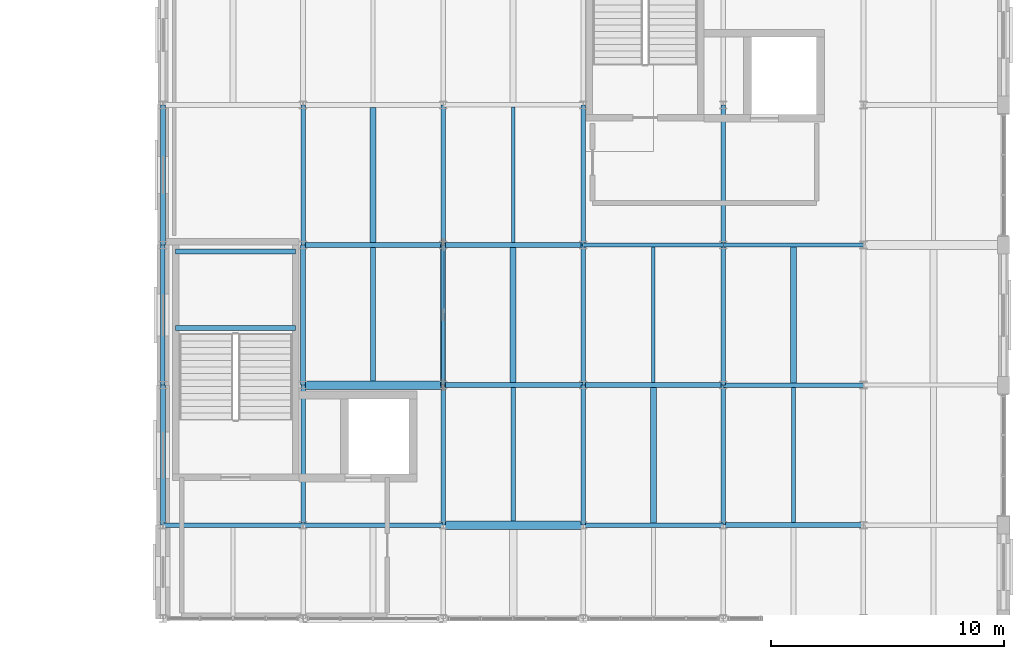
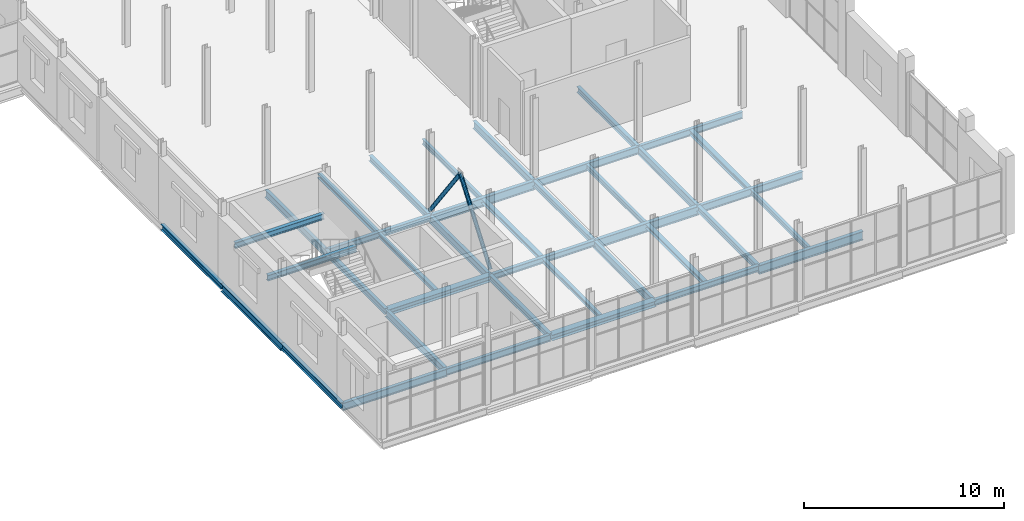
# One storey, part 67 of 114: 39 beams, 2 members.
"""IFC4 building model written with IfcOpenShell, lengths in metres."""

from ifc_helpers import new_model, si_unit, direction, frame, origin, origin_2d, place, context, subcontext, project, spatial, hollow_circle, i_section, extrude, material, material_profile, profile_set, type_object, element, save


model = new_model("IFC4")

# Units and contexts
model_context = context("Model", 3, precision=1e-05, world=origin(), true_north=direction((0.0, 1.0)))
body_context = subcontext(model_context, "Body", "Model", "MODEL_VIEW")
ifc_project = project(units=[si_unit("LENGTHUNIT", "METRE"), si_unit("AREAUNIT", "SQUARE_METRE"), si_unit("VOLUMEUNIT", "CUBIC_METRE"), si_unit("PLANEANGLEUNIT", "RADIAN"), si_unit("MASSUNIT", "GRAM", prefix="KILO")], contexts=[model_context])

# Site, building, storey
site_placement = place(None, origin())
site = spatial("IfcSite", under=ifc_project, at=site_placement, CompositionType="ELEMENT")
building_placement = place(site_placement, origin())
building = spatial("IfcBuilding", under=site, at=building_placement, Name="Verrall Gate Interchange", CompositionType="ELEMENT")
storey_placement = place(building_placement, frame((0.0, 0.0, 6.60009765625)))
storey = spatial("IfcBuildingStorey", under=building, at=storey_placement, Name="L02", CompositionType="ELEMENT", Elevation=6.60009765625)

# Beams
ifc_material_1 = material(Name="Structural Steel CSA G40.21 350W", Category="steel")
ifc_material_profile_1 = material_profile(ifc_material_1, i_section(OverallWidth=0.2109375, OverallDepth=0.5390625, WebThickness=0.01171875, FlangeThickness=0.018798828125, FilletRadius=0.013916015625, at=origin_2d()), Name="W530x109")
ifc_profile_set_1 = profile_set([ifc_material_profile_1], Name="Structural Steel CSA G40.21 350W")
beam_type_1 = type_object("IfcBeamType", Name="B-10 Structural Beam W530x109", PredefinedType="BEAM", material=ifc_profile_set_1)
for number, where, z_axis, x_axis, name in (
    (1, (156.0, 16.0, -0.549560546875), (1.0, 0.0, 0.0), (0.0, 1.0, 0.0), "L02 Girder BM-L02-1502 (B-10)"),
    (2, (150.0, 22.0, -0.549560546875), (1.0, 0.0, 0.0), (0.0, 1.0, 0.0), "L02 Girder BM-L02-1512 (B-10)"),
    (3, (144.0, 28.0, -0.549560546875), (1.0, 0.0, 0.0), (0.0, 1.0, 0.0), "L02 Girder BM-L02-1522 (B-10)"),
):
    element("IfcBeam", number, at=place(storey_placement, frame(where, z_axis=z_axis, x_axis=x_axis)), inside=storey, type_object=beam_type_1, Name=name, PredefinedType="BEAM", context=body_context, shape_type="SweptSolid", body=[
        extrude(i_section(OverallWidth=0.2109375, OverallDepth=0.5390625, WebThickness=0.01171875, FlangeThickness=0.018798828125, FilletRadius=0.013916015625, at=origin_2d()), origin(), (0.0, 0.0, 1.0), 6.0),
    ])
ifc_material_2 = material(Name="Structural Steel CSA G40.21 350W", Category="steel")
ifc_material_profile_2 = material_profile(ifc_material_2, i_section(OverallWidth=0.19189453125, OverallDepth=0.462890625, WebThickness=0.010498046875, FlangeThickness=0.017578125, FilletRadius=0.012939453125, at=origin_2d()), Name="W460x89")
ifc_profile_set_2 = profile_set([ifc_material_profile_2], Name="Structural Steel CSA G40.21 350W")
beam_type_2 = type_object("IfcBeamType", Name="B-11 Structural Beam W460x89", PredefinedType="BEAM", material=ifc_profile_set_2)
for number, where, z_axis, x_axis, name in (
    (4, (132.0, 16.0, -0.51171875), (1.0, 0.0, 0.0), (0.0, 1.0, 0.0), "L02 Girder BM-L02-1498 (B-11)"),
    (5, (156.0, 22.0, -0.51171875), (1.0, 0.0, 0.0), (0.0, 1.0, 0.0), "L02 Girder BM-L02-1513 (B-11)"),
    (6, (150.0, 28.0, -0.51171875), (1.0, 0.0, 0.0), (0.0, 1.0, 0.0), "L02 Girder BM-L02-1523 (B-11)"),
    (7, (132.0, 22.0, -0.51171875), (0.0, 1.0, 0.0), (-1.0, 0.0, 0.0), "L02 Girder BM-L02-1785 (B-11)"),
    (8, (138.0, 16.0, -0.51171875), (0.0, 1.0, 0.0), (-1.0, 0.0, 0.0), "L02 Girder BM-L02-1792 (B-11)"),
    (9, (138.0, 28.0, -0.51171875), (0.0, 1.0, 0.0), (-1.0, 0.0, 0.0), "L02 Girder BM-L02-1794 (B-11)"),
    (10, (144.0, 22.0, -0.51171875), (0.0, 1.0, 0.0), (-1.0, 0.0, 0.0), "L02 Girder BM-L02-1801 (B-11)"),
    (11, (150.0, 16.0, -0.51171875), (0.0, 1.0, 0.0), (-1.0, 0.0, 0.0), "L02 Girder BM-L02-1808 (B-11)"),
    (12, (150.0, 28.0, -0.51171875), (0.0, 1.0, 0.0), (-1.0, 0.0, 0.0), "L02 Girder BM-L02-1810 (B-11)"),
    (13, (156.0, 22.0, -0.51171875), (0.0, 1.0, 0.0), (-1.0, 0.0, 0.0), "L02 Girder BM-L02-1817 (B-11)"),
):
    element("IfcBeam", number, at=place(storey_placement, frame(where, z_axis=z_axis, x_axis=x_axis)), inside=storey, type_object=beam_type_2, Name=name, PredefinedType="BEAM", context=body_context, shape_type="SweptSolid", body=[
        extrude(i_section(OverallWidth=0.19189453125, OverallDepth=0.462890625, WebThickness=0.010498046875, FlangeThickness=0.017578125, FilletRadius=0.012939453125, at=origin_2d()), origin(), (0.0, 0.0, 1.0), 6.0),
    ])
ifc_material_3 = material(Name="Structural Steel CSA G40.21 350W", Category="steel")
ifc_material_profile_3 = material_profile(ifc_material_3, i_section(OverallWidth=0.178955078125, OverallDepth=0.409912109375, WebThickness=0.0087890625, FlangeThickness=0.014404296875, FilletRadius=0.011962890625, at=origin_2d()), Name="W410x67")
ifc_profile_set_3 = profile_set([ifc_material_profile_3], Name="Structural Steel CSA G40.21 350W")
beam_type_3 = type_object("IfcBeamType", Name="B-12 Structural Beam W410x67", PredefinedType="BEAM", material=ifc_profile_set_3)
for number, where, z_axis, x_axis, name in (
    (14, (138.0, 16.0, -0.485107421875), (1.0, 0.0, 0.0), (0.0, 1.0, 0.0), "L02 Girder BM-L02-1499 (B-12)"),
    (15, (156.0, 28.0, -0.485107421875), (1.0, 0.0, 0.0), (0.0, 1.0, 0.0), "L02 Girder BM-L02-1524 (B-12)"),
):
    element("IfcBeam", number, at=place(storey_placement, frame(where, z_axis=z_axis, x_axis=x_axis)), inside=storey, type_object=beam_type_3, Name=name, PredefinedType="BEAM", context=body_context, shape_type="SweptSolid", body=[
        extrude(i_section(OverallWidth=0.178955078125, OverallDepth=0.409912109375, WebThickness=0.0087890625, FlangeThickness=0.014404296875, FilletRadius=0.011962890625, at=origin_2d()), origin(), (0.0, 0.0, 1.0), 6.0),
    ])
ifc_material_4 = material(Name="Structural Steel CSA G40.21 350W", Category="steel")
ifc_material_profile_4 = material_profile(ifc_material_4, i_section(OverallWidth=0.368896484375, OverallDepth=0.35595703125, WebThickness=0.01123046875, FlangeThickness=0.01806640625, FilletRadius=0.014892578125, at=origin_2d()), Name="W360x134")
ifc_profile_set_4 = profile_set([ifc_material_profile_4], Name="Structural Steel CSA G40.21 350W")
beam_type_4 = type_object("IfcBeamType", Name="B-13 Structural Beam W360x134", PredefinedType="BEAM", material=ifc_profile_set_4)
for number, where, z_axis, x_axis, name in (
    (16, (144.0, 16.0, -0.4580078125), (1.0, 0.0, 0.0), (0.0, 1.0, 0.0), "L02 Girder BM-L02-1500 (B-13)"),
    (17, (138.0, 22.0, -0.4580078125), (1.0, 0.0, 0.0), (0.0, 1.0, 0.0), "L02 Girder BM-L02-1510 (B-13)"),
):
    element("IfcBeam", number, at=place(storey_placement, frame(where, z_axis=z_axis, x_axis=x_axis)), inside=storey, type_object=beam_type_4, Name=name, PredefinedType="BEAM", context=body_context, shape_type="SweptSolid", body=[
        extrude(i_section(OverallWidth=0.368896484375, OverallDepth=0.35595703125, WebThickness=0.01123046875, FlangeThickness=0.01806640625, FilletRadius=0.014892578125, at=origin_2d()), origin(), (0.0, 0.0, 1.0), 6.0),
    ])
ifc_material_5 = material(Name="Structural Steel CSA G40.21 350W", Category="steel")
ifc_material_profile_5 = material_profile(ifc_material_5, i_section(OverallWidth=0.205078125, OverallDepth=0.35400390625, WebThickness=0.009521484375, FlangeThickness=0.016845703125, FilletRadius=0.012939453125, at=origin_2d()), Name="W360x79")
ifc_profile_set_5 = profile_set([ifc_material_profile_5], Name="Structural Steel CSA G40.21 350W")
beam_type_5 = type_object("IfcBeamType", Name="B-14 Structural Beam W360x79", PredefinedType="BEAM", material=ifc_profile_set_5)
for number, where, z_axis, x_axis, name in (
    (18, (150.0, 16.0, -0.45703125), (1.0, 0.0, 0.0), (0.0, 1.0, 0.0), "L02 Girder BM-L02-1501 (B-14)"),
    (19, (144.0, 22.0, -0.45703125), (1.0, 0.0, 0.0), (0.0, 1.0, 0.0), "L02 Girder BM-L02-1511 (B-14)"),
    (20, (138.0, 28.0, -0.45703125), (1.0, 0.0, 0.0), (0.0, 1.0, 0.0), "L02 Girder BM-L02-1521 (B-14)"),
    (21, (132.0, 16.0, -0.45703125), (0.0, 1.0, 0.0), (-1.0, 0.0, 0.0), "L02 Girder BM-L02-1784 (B-14)"),
    (22, (132.0, 28.0, -0.45703125), (0.0, 1.0, 0.0), (-1.0, 0.0, 0.0), "L02 Girder BM-L02-1786 (B-14)"),
    (23, (138.0, 22.0, -0.45703125), (0.0, 1.0, 0.0), (-1.0, 0.0, 0.0), "L02 Girder BM-L02-1793 (B-14)"),
    (24, (144.0, 16.0, -0.45703125), (0.0, 1.0, 0.0), (-1.0, 0.0, 0.0), "L02 Girder BM-L02-1800 (B-14)"),
    (25, (144.0, 28.0, -0.45703125), (0.0, 1.0, 0.0), (-1.0, 0.0, 0.0), "L02 Girder BM-L02-1802 (B-14)"),
    (26, (150.0, 22.0, -0.45703125), (0.0, 1.0, 0.0), (-1.0, 0.0, 0.0), "L02 Girder BM-L02-1809 (B-14)"),
    (27, (156.0, 16.0, -0.45703125), (0.0, 1.0, 0.0), (-1.0, 0.0, 0.0), "L02 Girder BM-L02-1816 (B-14)"),
    (28, (156.0, 28.0, -0.45703125), (0.0, 1.0, 0.0), (-1.0, 0.0, 0.0), "L02 Girder BM-L02-1818 (B-14)"),
):
    element("IfcBeam", number, at=place(storey_placement, frame(where, z_axis=z_axis, x_axis=x_axis)), inside=storey, type_object=beam_type_5, Name=name, PredefinedType="BEAM", context=body_context, shape_type="SweptSolid", body=[
        extrude(i_section(OverallWidth=0.205078125, OverallDepth=0.35400390625, WebThickness=0.009521484375, FlangeThickness=0.016845703125, FilletRadius=0.012939453125, at=origin_2d()), origin(), (0.0, 0.0, 1.0), 6.0),
    ])
for number, where, z_axis, x_axis, name in (
    (29, (132.5400390625, 24.449951171875, 2.02978515625), (1.0, 0.0, 0.0), (0.0, 1.0, 0.0), "L02 Core C8 Mid-Landing Beam 1"),
    (30, (132.5400390625, 27.719970703125, 2.02978515625), (1.0, 0.0, 0.0), (0.0, 1.0, 0.0), "L02 Core C8 Mid-Landing Beam 2"),
):
    element("IfcBeam", number, at=place(storey_placement, frame(where, z_axis=z_axis, x_axis=x_axis)), inside=storey, type_object=beam_type_5, Name=name, PredefinedType="BEAM", context=body_context, shape_type="SweptSolid", body=[
        extrude(i_section(OverallWidth=0.205078125, OverallDepth=0.35400390625, WebThickness=0.009521484375, FlangeThickness=0.016845703125, FilletRadius=0.012939453125, at=origin_2d()), origin(), (0.0, 0.0, 1.0), 5.139892578125),
    ])

# Members
ifc_material_6 = material(Name="Structural Steel CSA G40.21 350W", Category="steel")
ifc_material_profile_6 = material_profile(ifc_material_6, hollow_circle(Radius=0.109619140625, WallThickness=0.008056640625, at=origin_2d()), Name="HSS219x8.0")
ifc_profile_set_6 = profile_set([ifc_material_profile_6], Name="Structural Steel CSA G40.21 350W")
member_type = type_object("IfcMemberType", Name="BR-02 Diagonal Brace HSS219x8.0", PredefinedType="BRACE", material=ifc_profile_set_6)
for number, where, z_axis, x_axis, name in (
    (31, (144.0, 22.0, 0.0), (0.0, 0.598082546513, 0.801434506093), (-1.0, 0.0, 0.0), "Chevron Brace CBF6 L02 Leg A"),
    (32, (144.0, 28.0, 0.0), (0.0, -0.598082546513, 0.801434506093), (1.0, 0.0, 0.0), "Chevron Brace CBF6 L02 Leg B"),
):
    element("IfcMember", number, at=place(storey_placement, frame(where, z_axis=z_axis, x_axis=x_axis)), inside=storey, type_object=member_type, Name=name, PredefinedType="BRACE", context=body_context, shape_type="SweptSolid", body=[
        extrude(hollow_circle(Radius=0.109619140625, WallThickness=0.008056640625, at=origin_2d()), origin(), (0.0, 0.0, 1.0), 5.01611328125),
    ])

# Beams
ifc_material_7 = material(Name="Structural Steel CSA G40.21 350W", Category="steel")
ifc_material_profile_7 = material_profile(ifc_material_7, i_section(OverallWidth=0.25390625, OverallDepth=0.305908203125, WebThickness=0.0087890625, FlangeThickness=0.0146484375, FilletRadius=0.012939453125, at=origin_2d()), Name="W310x79")
ifc_profile_set_7 = profile_set([ifc_material_profile_7], Name="Structural Steel CSA G40.21 350W")
beam_type_6 = type_object("IfcBeamType", Name="J-03 Floor Joist W310x79", PredefinedType="JOIST", material=ifc_profile_set_7)
beam_placement = place(storey_placement, frame((159.0, 22.095947265625, -0.43310546875), z_axis=(0.0, 1.0, 0.0), x_axis=(-1.0, 0.0, 0.0)))
element("IfcBeam", 33, at=beam_placement, inside=storey, type_object=beam_type_6, Name="L02 Secondary Floor Joist JST-L02-1898", PredefinedType="JOIST", context=body_context, shape_type="SweptSolid", body=[
    extrude(i_section(OverallWidth=0.25390625, OverallDepth=0.305908203125, WebThickness=0.0087890625, FlangeThickness=0.0146484375, FilletRadius=0.012939453125, at=origin_2d()), origin(), (0.0, 0.0, 1.0), 5.814453125),
])
ifc_material_8 = material(Name="Structural Steel CSA G40.21 350W", Category="steel")
ifc_material_profile_8 = material_profile(ifc_material_8, i_section(OverallWidth=0.1650390625, OverallDepth=0.31005859375, WebThickness=0.005859375, FlangeThickness=0.009765625, FilletRadius=0.010009765625, at=origin_2d()), Name="W310x39")
ifc_profile_set_8 = profile_set([ifc_material_profile_8], Name="Structural Steel CSA G40.21 350W")
beam_type_7 = type_object("IfcBeamType", Name="J-04 Floor Joist W310x39", PredefinedType="JOIST", material=ifc_profile_set_8)
for number, where, z_axis, x_axis, name in (
    (34, (159.0, 16.10546875, -0.43505859375), (0.0, 1.0, 0.0), (-1.0, 0.0, 0.0), "L02 Secondary Floor Joist JST-L02-1889"),
    (35, (153.0, 22.10546875, -0.43505859375), (0.0, 1.0, 0.0), (-1.0, 0.0, 0.0), "L02 Secondary Floor Joist JST-L02-1897"),
    (36, (147.0, 28.10546875, -0.43505859375), (0.0, 1.0, 0.0), (-1.0, 0.0, 0.0), "L02 Secondary Floor Joist JST-L02-1905"),
):
    element("IfcBeam", number, at=place(storey_placement, frame(where, z_axis=z_axis, x_axis=x_axis)), inside=storey, type_object=beam_type_7, Name=name, PredefinedType="JOIST", context=body_context, shape_type="SweptSolid", body=[
        extrude(i_section(OverallWidth=0.1650390625, OverallDepth=0.31005859375, WebThickness=0.005859375, FlangeThickness=0.009765625, FilletRadius=0.010009765625, at=origin_2d()), origin(), (0.0, 0.0, 1.0), 5.798583984375),
    ])
ifc_material_9 = material(Name="Structural Steel CSA G40.21 350W", Category="steel")
ifc_material_profile_9 = material_profile(ifc_material_9, i_section(OverallWidth=0.25390625, OverallDepth=0.2529296875, WebThickness=0.008544921875, FlangeThickness=0.01416015625, FilletRadius=0.011962890625, at=origin_2d()), Name="W250x73")
ifc_profile_set_9 = profile_set([ifc_material_profile_9], Name="Structural Steel CSA G40.21 350W")
beam_type_8 = type_object("IfcBeamType", Name="J-05 Floor Joist W250x73", PredefinedType="JOIST", material=ifc_profile_set_9)
for number, where, z_axis, x_axis, name in (
    (37, (153.0, 16.1025390625, -0.406494140625), (0.0, 1.0, 0.0), (-1.0, 0.0, 0.0), "L02 Secondary Floor Joist JST-L02-1888"),
    (38, (147.0, 22.1025390625, -0.406494140625), (0.0, 1.0, 0.0), (-1.0, 0.0, 0.0), "L02 Secondary Floor Joist JST-L02-1896"),
    (39, (141.0, 28.1025390625, -0.406494140625), (0.0, 1.0, 0.0), (-1.0, 0.0, 0.0), "L02 Secondary Floor Joist JST-L02-1904"),
):
    element("IfcBeam", number, at=place(storey_placement, frame(where, z_axis=z_axis, x_axis=x_axis)), inside=storey, type_object=beam_type_8, Name=name, PredefinedType="JOIST", context=body_context, shape_type="SweptSolid", body=[
        extrude(i_section(OverallWidth=0.25390625, OverallDepth=0.2529296875, WebThickness=0.008544921875, FlangeThickness=0.01416015625, FilletRadius=0.011962890625, at=origin_2d()), origin(), (0.0, 0.0, 1.0), 5.7919921875),
    ])
ifc_material_10 = material(Name="Structural Steel CSA G40.21 350W", Category="steel")
ifc_material_profile_10 = material_profile(ifc_material_10, i_section(OverallWidth=0.201904296875, OverallDepth=0.2470703125, WebThickness=0.00732421875, FlangeThickness=0.010986328125, FilletRadius=0.010986328125, at=origin_2d()), Name="W250x49")
ifc_profile_set_10 = profile_set([ifc_material_profile_10], Name="Structural Steel CSA G40.21 350W")
beam_type_9 = type_object("IfcBeamType", Name="J-06 Floor Joist W250x49", PredefinedType="JOIST", material=ifc_profile_set_10)
for number, where, z_axis, x_axis, name in (
    (40, (147.0, 16.1845703125, -0.403564453125), (0.0, 1.0, 0.0), (-1.0, 0.0, 0.0), "L02 Secondary Floor Joist JST-L02-1887"),
    (41, (141.0, 22.1845703125, -0.403564453125), (0.0, 1.0, 0.0), (-1.0, 0.0, 0.0), "L02 Secondary Floor Joist JST-L02-1895"),
):
    element("IfcBeam", number, at=place(storey_placement, frame(where, z_axis=z_axis, x_axis=x_axis)), inside=storey, type_object=beam_type_9, Name=name, PredefinedType="JOIST", context=body_context, shape_type="SweptSolid", body=[
        extrude(i_section(OverallWidth=0.201904296875, OverallDepth=0.2470703125, WebThickness=0.00732421875, FlangeThickness=0.010986328125, FilletRadius=0.010986328125, at=origin_2d()), origin(), (0.0, 0.0, 1.0), 5.712890625),
    ])

save(model, "model.ifc")
